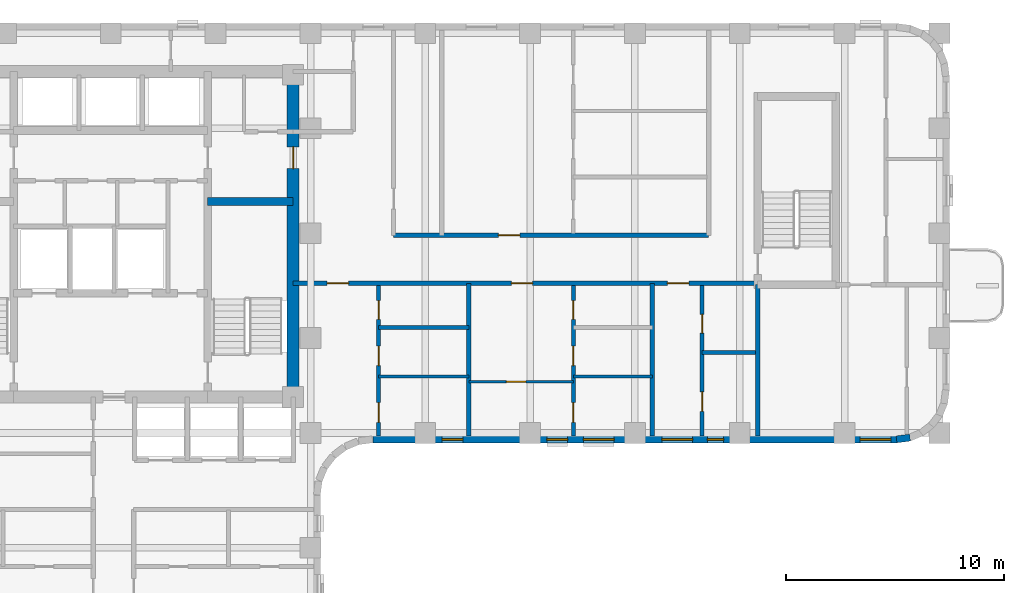
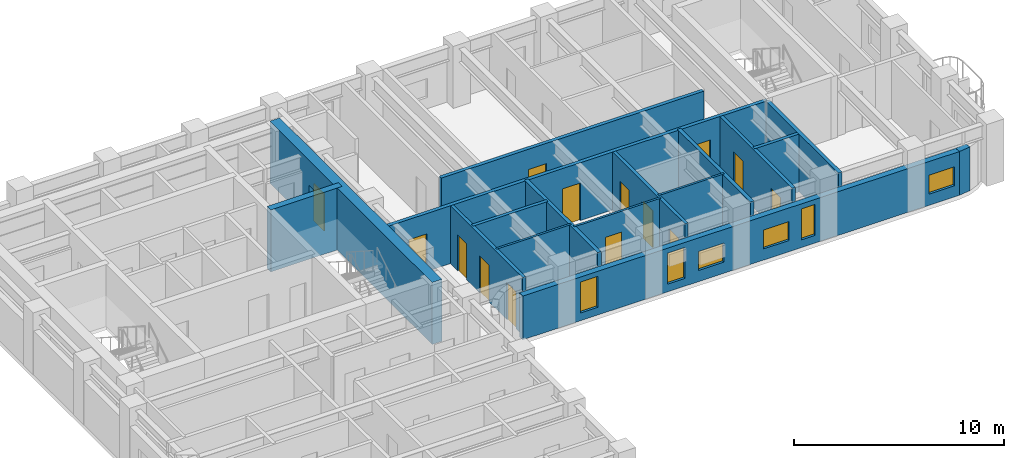
# One storey, part 5 of 10: 17 walls, 14 doors, 6 windows, 20 openings.
"""IFC4 building model written with IfcOpenShell, lengths in metres."""

import ifcopenshell
import ifcopenshell.guid

model = None  # the IFC model being written
_history = None  # IfcOwnerHistory: only IFC2X3 demands one
_inside = {}  # id of a spatial element -> (the spatial element, [elements in it])
_under = {}  # id of a project, library or spatial element -> (it, [spatial elements below it])
_declared = {}  # id of a project -> (the project, [libraries it declares])
_typed = {}  # id of a type object -> (the type object, [elements of that type])
_made_of = {}  # id of a material, layer set ... -> (it, [elements and type objects made of it])


def new_model(schema):
    """Start an empty IFC model of exactly this schema.

    Asked for "IFC4X3", IfcOpenShell would pick the latest addendum, in which some entities
    have other attributes; the version numbers below select the first issue.
    IFC2X3 requires an IfcOwnerHistory on every rooted entity: one is made here for all.
    """
    global model, _history
    if schema == "IFC4X3":
        model = ifcopenshell.file(schema_version=(4, 3, 0, 0))
    else:
        model = ifcopenshell.file(schema=schema)
    _inside.clear()
    _under.clear()
    _declared.clear()
    _typed.clear()
    _made_of.clear()
    _history = None
    if model.schema == "IFC2X3":
        org = make("IfcOrganization", Name="unknown")
        user = make(
            "IfcPersonAndOrganization",
            ThePerson=make("IfcPerson", FamilyName="unknown"),
            TheOrganization=org,
        )
        app = make(
            "IfcApplication",
            ApplicationDeveloper=org,
            Version="unknown",
            ApplicationFullName="unknown",
            ApplicationIdentifier="unknown",
        )
        _history = make(
            "IfcOwnerHistory",
            OwningUser=user,
            OwningApplication=app,
            ChangeAction="ADDED",
            CreationDate=0,
        )
    return model


def make(cls, **values):
    """One entity of the class cls with the attributes given. An attribute that is None is left unset."""
    return model.create_entity(
        cls, **{name: value for name, value in values.items() if value is not None}
    )


def rooted(cls, **values):
    """An entity with a GlobalId (a new one), such as an element, a storey or a relation."""
    return make(cls, GlobalId=ifcopenshell.guid.new(), OwnerHistory=_history, **values)


def si_unit(unit_type, name, prefix=None):
    """IfcSIUnit, for example si_unit("LENGTHUNIT", "METRE", prefix="MILLI")."""
    return make("IfcSIUnit", UnitType=unit_type, Prefix=prefix, Name=name)


def assignment(units):
    """IfcUnitAssignment: the units of a project."""
    return None if units is None else make("IfcUnitAssignment", Units=units)


def point(xyz):
    """IfcCartesianPoint."""
    return None if xyz is None else make("IfcCartesianPoint", Coordinates=xyz)


def direction(xyz):
    """IfcDirection."""
    return None if xyz is None else make("IfcDirection", DirectionRatios=xyz)


def frame(location, z_axis=None, x_axis=None):
    """IfcAxis2Placement3D, a coordinate frame: its origin and axes. An axis left out is left unset."""
    return make(
        "IfcAxis2Placement3D",
        Location=point(location),
        Axis=direction(z_axis),
        RefDirection=direction(x_axis),
    )


def frame_2d(location, x_axis=None):
    """IfcAxis2Placement2D, a coordinate frame in the plane: its origin and x axis."""
    return make(
        "IfcAxis2Placement2D", Location=point(location), RefDirection=direction(x_axis)
    )


def origin():
    """The frame at (0, 0, 0) with its axes left unset."""
    return frame((0.0, 0.0, 0.0))


def place(relative_to, where):
    """IfcLocalPlacement: puts the frame where relative to a parent placement (None: the world)."""
    return make(
        "IfcLocalPlacement", PlacementRelTo=relative_to, RelativePlacement=where
    )


def context(
    kind, dimensions, precision=None, world=None, true_north=None, identifier=None
):
    """IfcGeometricRepresentationContext, for example the 3D "Model" context."""
    return make(
        "IfcGeometricRepresentationContext",
        ContextIdentifier=identifier,
        ContextType=kind,
        CoordinateSpaceDimension=dimensions,
        Precision=precision,
        WorldCoordinateSystem=world,
        TrueNorth=true_north,
    )


def subcontext(parent, identifier, kind, view, scale=None):
    """IfcGeometricRepresentationSubContext, for example "Body" below "Model"."""
    return make(
        "IfcGeometricRepresentationSubContext",
        ContextIdentifier=identifier,
        ContextType=kind,
        ParentContext=parent,
        TargetScale=scale,
        TargetView=view,
    )


def project(units=None, contexts=None):
    """IfcProject with its units and contexts."""
    return rooted(
        "IfcProject",
        Name="project",
        RepresentationContexts=contexts,
        UnitsInContext=assignment(units),
    )


def spatial(cls, under=None, at=None, **own):
    """A site, building, storey or space (cls), placed at a placement, below another one or the project."""
    s = rooted(cls, ObjectPlacement=at, **own)
    if under is not None:
        _under.setdefault(under.id(), (under, []))[1].append(s)
    return s


def profile(cls, at=None, kind="AREA", **sizes):
    """A parametric profile (cls). Its sizes go by their IFC names, for example OverallWidth=200.0."""
    return make(cls, ProfileType=kind, Position=at, **sizes)


def rectangle(**sizes):
    """IfcRectangleProfileDef."""
    return profile("IfcRectangleProfileDef", **sizes)


def extrude(swept, where, along, depth):
    """IfcExtrudedAreaSolid: the profile swept, set in the frame where, extruded along a direction by depth."""
    return make(
        "IfcExtrudedAreaSolid",
        SweptArea=swept,
        Position=where,
        ExtrudedDirection=direction(along),
        Depth=depth,
    )


def shape(context_of_items, identifier, shape_type, items):
    """IfcShapeRepresentation: the items that make up one representation, for example the "Body"."""
    return make(
        "IfcShapeRepresentation",
        ContextOfItems=context_of_items,
        RepresentationIdentifier=identifier,
        RepresentationType=shape_type,
        Items=items,
    )


def material(Name=None, Category=None):
    """IfcMaterial."""
    return make("IfcMaterial", Name=Name, Category=Category)


def layer(
    of_material, thickness, ventilated=None, Name=None, Category=None, Priority=None
):
    """IfcMaterialLayer: one layer of a wall or slab, of a material (None: an air gap)."""
    return make(
        "IfcMaterialLayer",
        Material=of_material,
        LayerThickness=thickness,
        IsVentilated=ventilated,
        Name=Name,
        Category=Category,
        Priority=Priority,
    )


def layer_set(layers, Name=None):
    """IfcMaterialLayerSet."""
    return make("IfcMaterialLayerSet", MaterialLayers=layers, LayerSetName=Name)


def made_of(thing, what):
    """Note that an element or type object is made of a material, layer set ...; save() writes the relation."""
    if what is not None:
        _made_of.setdefault(what.id(), (what, []))[1].append(thing)
    return thing


def type_object(cls, material=None, **own):
    """A type object (cls), such as IfcWallType, which elements share."""
    return made_of(rooted(cls, **own), material)


def element(
    cls,
    number,
    at=None,
    inside=None,
    cuts=None,
    type_object=None,
    material=None,
    context=None,
    identifier="Body",
    shape_type=None,
    held_by="IfcProductDefinitionShape",
    body=None,
    shapes=None,
    **own,
):
    """One element of the class cls, such as IfcWall. Its Tag is "e" and its number.

    at: its placement. inside: the storey or other place that contains it. cuts: it is an
    opening in that element (IfcRelVoidsElement). A single representation is given by context,
    identifier, shape_type and body (its items); several are given by shapes. held_by: the class
    of the entity that holds the representations. save() writes the other relations.
    """
    e = rooted(cls, Tag="e%d" % number, ObjectPlacement=at, **own)
    if body is not None:
        shapes = [shape(context, identifier, shape_type, body)]
    if shapes is not None:
        e.Representation = make(held_by, Representations=shapes)
    if inside is not None:
        _inside.setdefault(inside.id(), (inside, []))[1].append(e)
    if cuts is not None:
        rooted(
            "IfcRelVoidsElement", RelatingBuildingElement=cuts, RelatedOpeningElement=e
        )
    if type_object is not None:
        _typed.setdefault(type_object.id(), (type_object, []))[1].append(e)
    return made_of(e, material)


def fill(opening, filler):
    """IfcRelFillsElement: the door or window that sits in an opening."""
    return rooted(
        "IfcRelFillsElement",
        RelatingOpeningElement=opening,
        RelatedBuildingElement=filler,
    )


def aggregate(whole, parts):
    """IfcRelAggregates: a whole, such as a stair, and the parts it consists of."""
    return rooted("IfcRelAggregates", RelatingObject=whole, RelatedObjects=parts)


def save(model, path):
    """Write the relations noted so far, then the file.

    IfcRelAggregates (storeys below a building ...), IfcRelContainedInSpatialStructure (elements
    in a storey), IfcRelDefinesByType, IfcRelAssociatesMaterial and IfcRelDeclares: one each for
    every whole, place, type object, material and project.
    """
    for whole, parts in _under.values():
        aggregate(whole, parts)
    for where, things in _inside.values():
        rooted(
            "IfcRelContainedInSpatialStructure",
            RelatedElements=things,
            RelatingStructure=where,
        )
    for kind, things in _typed.values():
        rooted("IfcRelDefinesByType", RelatedObjects=things, RelatingType=kind)
    for what, things in _made_of.values():
        rooted("IfcRelAssociatesMaterial", RelatedObjects=things, RelatingMaterial=what)
    for by, libraries in _declared.values():
        rooted("IfcRelDeclares", RelatingContext=by, RelatedDefinitions=libraries)
    model.write(path)


model = new_model("IFC4")

# Units and contexts
model_context = context("Model", 3, precision=1e-05, world=origin(), true_north=direction((0.0, 1.0)))
body_context = subcontext(model_context, "Body", "Model", "MODEL_VIEW")
ifc_project = project(units=[si_unit("LENGTHUNIT", "METRE"), si_unit("AREAUNIT", "SQUARE_METRE"), si_unit("VOLUMEUNIT", "CUBIC_METRE"), si_unit("PLANEANGLEUNIT", "RADIAN"), si_unit("MASSUNIT", "GRAM", prefix="KILO")], contexts=[model_context])

# Site, building, storey
site_placement = place(None, origin())
site = spatial("IfcSite", under=ifc_project, at=site_placement, CompositionType="ELEMENT")
building_placement = place(site_placement, origin())
building = spatial("IfcBuilding", under=site, at=building_placement, Name="Orvandelia Arch Residences", CompositionType="ELEMENT")
storey_placement = place(building_placement, frame((0.0, 0.0, 114.39990234375)))
storey = spatial("IfcBuildingStorey", under=building, at=storey_placement, Name="L29", CompositionType="ELEMENT", Elevation=114.39990234375)

# Wall
ifc_material_1 = material(Name="Concrete C50/60", Category="concrete")
ifc_layer_1 = layer(ifc_material_1, 0.35009765625, Name="Concrete C50/60", Category="concrete")
ifc_layer_set_1 = layer_set([ifc_layer_1], Name="Concrete C50/60")
wall_type_1 = type_object("IfcWallType", Name="WL-CORE-350", PredefinedType="SHEAR", material=ifc_layer_set_1)
wall_1_placement = place(storey_placement, frame((18.840087890625, 39.85009765625, 0.0), z_axis=(0.0, 0.0, 1.0), x_axis=(1.0, 0.0, 0.0)))
element("IfcWall", 1, at=wall_1_placement, inside=storey, type_object=wall_type_1, Name="Core Shear Wall L29-HZ2", PredefinedType="SHEAR", context=body_context, shape_type="SweptSolid", body=[
    extrude(rectangle(XDim=3.909912109375, YDim=0.35009765625, at=frame_2d((1.955078125, 0.0))), origin(), (0.0, 0.0, 1.0), 3.60009765625),
])

# Wall, opening, door
ifc_material_2 = material(Name="Concrete C60/75", Category="concrete")
ifc_layer_2 = layer(ifc_material_2, 0.550048828125, Name="Concrete C60/75", Category="concrete")
ifc_layer_set_2 = layer_set([ifc_layer_2], Name="Concrete C60/75")
wall_type_2 = type_object("IfcWallType", Name="WL-CORE-550", PredefinedType="SHEAR", material=ifc_layer_set_2)
wall_2_placement = place(storey_placement, frame((22.75, 30.625, 0.0), z_axis=(0.0, 0.0, 1.0), x_axis=(0.0, 1.0, 0.0)))
wall_2 = element("IfcWall", 2, at=wall_2_placement, inside=storey, type_object=wall_type_2, Name="Core Shear Wall L29-E", PredefinedType="SHEAR", context=body_context, shape_type="SweptSolid", body=[
    extrude(rectangle(XDim=15.449951171875, YDim=0.550048828125, at=frame_2d((7.72509765625, 0.0))), origin(), (0.0, 0.0, 1.0), 3.60009765625),
])
opening_1_placement = place(wall_2_placement, frame((10.72509765625, 0.0, 0.0)))
opening_1 = element("IfcOpeningElement", 3, at=opening_1_placement, cuts=wall_2, Name="Opening D6", PredefinedType="OPENING", context=body_context, shape_type="SweptSolid", body=[
    extrude(rectangle(XDim=1.0, YDim=2.14990234375, at=frame_2d((0.5, 1.074951171875))), frame((0.0, 0.28515625, 0.0), z_axis=(0.0, -1.0, 0.0), x_axis=(1.0, 0.0, 0.0)), (0.0, 0.0, 1.0), 0.570068359375),
])
ifc_material_3 = material(Name="Smokeproof Painted Steel Fire Door", Category="steel")
door_type_1 = type_object("IfcDoorType", Name="DR-FD60-1000", OperationType="NOTDEFINED", PredefinedType="DOOR", material=ifc_material_3)
door_1_placement = place(opening_1_placement, origin())
door_1 = element("IfcDoor", 4, at=door_1_placement, inside=storey, type_object=door_type_1, Name="Core East Corridor Link Door L29", OperationType="SINGLE_SWING_LEFT", OverallHeight=2.14990234375, OverallWidth=1.0, PredefinedType="DOOR", context=body_context, shape_type="SweptSolid", body=[
    extrude(rectangle(XDim=1.0, YDim=2.14990234375, at=frame_2d((0.5, 1.074951171875))), frame((0.0, 0.02490234375, 0.0), z_axis=(0.0, -1.0, 0.0), x_axis=(1.0, 0.0, 0.0)), (0.0, 0.0, 1.0), 0.050048828125),
])
fill(opening_1, door_1)

# Wall, openings, doors
ifc_material_4 = material(Name="Fire-Rated Corridor Partition")
ifc_layer_3 = layer(ifc_material_4, 0.199951171875, Name="Fire-Rated Corridor Partition")
ifc_layer_set_3 = layer_set([ifc_layer_3], Name="Fire-Rated Corridor Partition")
wall_type_3 = type_object("IfcWallType", Name="WL-CORR-200", PredefinedType="PARTITIONING", material=ifc_layer_set_3)
wall_3_placement = place(storey_placement, frame((22.75, 36.10009765625, 0.0), z_axis=(0.0, 0.0, 1.0), x_axis=(1.0, 0.0, 0.0)))
wall_3 = element("IfcWall", 5, at=wall_3_placement, inside=storey, type_object=wall_type_3, Name="Interior Partition Wall WL-L29-EM-S1", PredefinedType="PARTITIONING", context=body_context, shape_type="SweptSolid", body=[
    extrude(rectangle(XDim=21.27001953125, YDim=0.199951171875, at=frame_2d((10.635009765625, 0.0))), origin(), (0.0, 0.0, 1.0), 3.360107421875),
])
opening_2_placement = place(wall_3_placement, frame((1.5595703125, 0.0, 0.0)))
opening_2 = element("IfcOpeningElement", 6, at=opening_2_placement, cuts=wall_3, Name="Opening D1", PredefinedType="OPENING", context=body_context, shape_type="SweptSolid", body=[
    extrude(rectangle(XDim=0.97998046875, YDim=2.179931640625, at=frame_2d((0.489990234375, 1.08984375))), frame((0.0, 0.10986328125, 0.0), z_axis=(0.0, -1.0, 0.0), x_axis=(1.0, 0.0, 0.0)), (0.0, 0.0, 1.0), 0.219970703125),
])
opening_3_placement = place(wall_3_placement, frame((9.992431640625, 0.0, 0.0)))
opening_3 = element("IfcOpeningElement", 7, at=opening_3_placement, cuts=wall_3, Name="Opening D1", PredefinedType="OPENING", context=body_context, shape_type="SweptSolid", body=[
    extrude(rectangle(XDim=0.97998046875, YDim=2.179931640625, at=frame_2d((0.489990234375, 1.08984375))), frame((0.0, 0.10986328125, 0.0), z_axis=(0.0, -1.0, 0.0), x_axis=(1.0, 0.0, 0.0)), (0.0, 0.0, 1.0), 0.219970703125),
])
opening_4_placement = place(wall_3_placement, frame((17.139892578125, 0.0, 0.0)))
opening_4 = element("IfcOpeningElement", 8, at=opening_4_placement, cuts=wall_3, Name="Opening D1", PredefinedType="OPENING", context=body_context, shape_type="SweptSolid", body=[
    extrude(rectangle(XDim=0.97998046875, YDim=2.179931640625, at=frame_2d((0.489990234375, 1.08984375))), frame((0.0, 0.10986328125, 0.0), z_axis=(0.0, -1.0, 0.0), x_axis=(1.0, 0.0, 0.0)), (0.0, 0.0, 1.0), 0.219970703125),
])
ifc_material_5 = material(Name="Solid-Core Timber Acoustic Fire Door", Category="wood")
door_type_2 = type_object("IfcDoorType", Name="DR-ENT-980", OperationType="NOTDEFINED", PredefinedType="DOOR", material=ifc_material_5)
door_2_placement = place(opening_2_placement, origin())
door_2 = element("IfcDoor", 9, at=door_2_placement, inside=storey, type_object=door_type_2, Name="Unit L29-07 Entrance Door", OperationType="SINGLE_SWING_LEFT", OverallHeight=2.179931640625, OverallWidth=0.97998046875, PredefinedType="DOOR", context=body_context, shape_type="SweptSolid", body=[
    extrude(rectangle(XDim=0.97998046875, YDim=2.179931640625, at=frame_2d((0.489990234375, 1.08984375))), frame((0.0, 0.02490234375, 0.0), z_axis=(0.0, -1.0, 0.0), x_axis=(1.0, 0.0, 0.0)), (0.0, 0.0, 1.0), 0.050048828125),
])
fill(opening_2, door_2)
door_3_placement = place(opening_3_placement, origin())
door_3 = element("IfcDoor", 10, at=door_3_placement, inside=storey, type_object=door_type_2, Name="Unit L29-08 Entrance Door", OperationType="SINGLE_SWING_RIGHT", OverallHeight=2.179931640625, OverallWidth=0.97998046875, PredefinedType="DOOR", context=body_context, shape_type="SweptSolid", body=[
    extrude(rectangle(XDim=0.97998046875, YDim=2.179931640625, at=frame_2d((0.489990234375, 1.08984375))), frame((0.0, 0.02490234375, 0.0), z_axis=(0.0, -1.0, 0.0), x_axis=(1.0, 0.0, 0.0)), (0.0, 0.0, 1.0), 0.050048828125),
])
fill(opening_3, door_3)
door_4_placement = place(opening_4_placement, origin())
door_4 = element("IfcDoor", 11, at=door_4_placement, inside=storey, type_object=door_type_2, Name="Unit L29-09 Entrance Door", OperationType="SINGLE_SWING_LEFT", OverallHeight=2.179931640625, OverallWidth=0.97998046875, PredefinedType="DOOR", context=body_context, shape_type="SweptSolid", body=[
    extrude(rectangle(XDim=0.97998046875, YDim=2.179931640625, at=frame_2d((0.489990234375, 1.08984375))), frame((0.0, 0.02490234375, 0.0), z_axis=(0.0, -1.0, 0.0), x_axis=(1.0, 0.0, 0.0)), (0.0, 0.0, 1.0), 0.050048828125),
])
fill(opening_4, door_4)

# Wall, opening, door
wall_4_placement = place(storey_placement, frame((27.35009765625, 38.300048828125, 0.0), z_axis=(0.0, 0.0, 1.0), x_axis=(1.0, 0.0, 0.0)))
wall_4 = element("IfcWall", 12, at=wall_4_placement, inside=storey, type_object=wall_type_3, Name="Interior Partition Wall WL-L29-EM-N", PredefinedType="PARTITIONING", context=body_context, shape_type="SweptSolid", body=[
    extrude(rectangle(XDim=14.429931640625, YDim=0.199951171875, at=frame_2d((7.21484375, 0.0))), origin(), (0.0, 0.0, 1.0), 3.360107421875),
])
opening_5_placement = place(wall_4_placement, frame((4.803466796875, 0.0, 0.0)))
opening_5 = element("IfcOpeningElement", 13, at=opening_5_placement, cuts=wall_4, Name="Opening D1", PredefinedType="OPENING", context=body_context, shape_type="SweptSolid", body=[
    extrude(rectangle(XDim=0.97998046875, YDim=2.179931640625, at=frame_2d((0.489990234375, 1.08984375))), frame((0.0, 0.10986328125, 0.0), z_axis=(0.0, -1.0, 0.0), x_axis=(1.0, 0.0, 0.0)), (0.0, 0.0, 1.0), 0.219970703125),
])
door_5_placement = place(opening_5_placement, origin())
door_5 = element("IfcDoor", 14, at=door_5_placement, inside=storey, type_object=door_type_2, Name="Unit L29-10 Entrance Door", OperationType="SINGLE_SWING_RIGHT", OverallHeight=2.179931640625, OverallWidth=0.97998046875, PredefinedType="DOOR", context=body_context, shape_type="SweptSolid", body=[
    extrude(rectangle(XDim=0.97998046875, YDim=2.179931640625, at=frame_2d((0.489990234375, 1.08984375))), frame((0.0, 0.02490234375, 0.0), z_axis=(0.0, -1.0, 0.0), x_axis=(1.0, 0.0, 0.0)), (0.0, 0.0, 1.0), 0.050048828125),
])
fill(opening_5, door_5)

# Walls
ifc_material_6 = material(Name="Concrete C40/50", Category="concrete")
ifc_layer_4 = layer(ifc_material_6, 0.199951171875, Name="Concrete C40/50", Category="concrete")
ifc_layer_set_4 = layer_set([ifc_layer_4], Name="Concrete C40/50")
wall_type_4 = type_object("IfcWallType", Name="WL-DEM-200", PredefinedType="SOLIDWALL", material=ifc_layer_set_4)
for number, where, z_axis, x_axis, name in (
    (15, (30.800048828125, 29.1201171875, 0.0), (0.0, 0.0, 1.0), (0.0, 1.0, 0.0), "Interior Partition Wall WL-L29-DEM-EMS-308"),
    (16, (39.199951171875, 29.1201171875, 0.0), (0.0, 0.0, 1.0), (0.0, 1.0, 0.0), "Interior Partition Wall WL-L29-DEM-EMS-392"),
):
    element("IfcWall", number, at=place(storey_placement, frame(where, z_axis=z_axis, x_axis=x_axis)), inside=storey, type_object=wall_type_4, Name=name, PredefinedType="SOLIDWALL", context=body_context, shape_type="SweptSolid", body=[
        extrude(rectangle(XDim=6.97998046875, YDim=0.199951171875, at=frame_2d((3.489990234375, 0.0))), origin(), (0.0, 0.0, 1.0), 3.360107421875),
    ])
wall_5_placement = place(storey_placement, frame((44.02001953125, 29.1201171875, 0.0), z_axis=(0.0, 0.0, 1.0), x_axis=(0.0, 1.0, 0.0)))
element("IfcWall", 17, at=wall_5_placement, inside=storey, type_object=wall_type_4, Name="Interior Partition Wall WL-L29-EMS3-W", PredefinedType="SOLIDWALL", context=body_context, shape_type="SweptSolid", body=[
    extrude(rectangle(XDim=6.919921875, YDim=0.199951171875, at=frame_2d((3.4599609375, 0.0))), origin(), (0.0, 0.0, 1.0), 3.360107421875),
])
ifc_material_7 = material(Name="Precast concrete C40/50", Category="concrete")
ifc_layer_5 = layer(ifc_material_7, 0.320068359375, Name="Precast concrete C40/50", Category="concrete")
ifc_layer_set_5 = layer_set([ifc_layer_5], Name="Precast concrete C40/50")
wall_type_5 = type_object("IfcWallType", Name="WL-EXT-STONE-320", PredefinedType="STANDARD", material=ifc_layer_set_5)
wall_6_placement = place(storey_placement, frame((51.000244140625, 29.040283203125, 0.0), z_axis=(0.0, 0.0, 1.0), x_axis=(-0.9914410257, -0.130555323746, 0.0)))
element("IfcWall", 18, at=wall_6_placement, inside=storey, type_object=wall_type_5, Name="Coral-Limestone Precast Facade Wall L29-020", PredefinedType="STANDARD", context=body_context, shape_type="SweptSolid", body=[
    extrude(rectangle(XDim=0.62646484375, YDim=0.320068359375, at=frame_2d((0.313232421875, 0.0))), origin(), (0.0, 0.0, 1.0), 2.5400390625),
])

# Wall, openings, windows
wall_7_placement = place(storey_placement, frame((50.39990234375, 28.9599609375, 0.0), z_axis=(0.0, 0.0, 1.0), x_axis=(-1.0, 0.0, 0.0)))
wall_7 = element("IfcWall", 19, at=wall_7_placement, inside=storey, type_object=wall_type_5, Name="Coral-Limestone Precast Facade Wall L29-021", PredefinedType="STANDARD", context=body_context, shape_type="SweptSolid", body=[
    extrude(rectangle(XDim=24.0, YDim=0.320068359375, at=frame_2d((12.0, 0.0))), origin(), (0.0, 0.0, 1.0), 2.5400390625),
])
opening_6_placement = place(wall_7_placement, frame((19.87744140625, 0.0, 0.449951171875)))
opening_6 = element("IfcOpeningElement", 20, at=opening_6_placement, cuts=wall_7, Name="Opening W4", PredefinedType="OPENING", context=body_context, shape_type="SweptSolid", body=[
    extrude(rectangle(XDim=0.949951171875, YDim=1.800048828125, at=frame_2d((0.47509765625, 0.89990234375))), frame((0.0, 0.169921875, 0.0), z_axis=(0.0, -1.0, 0.0), x_axis=(1.0, 0.0, 0.0)), (0.0, 0.0, 1.0), 0.340087890625),
])
opening_7_placement = place(wall_7_placement, frame((12.955078125, 0.0, 0.64990234375)))
opening_7 = element("IfcOpeningElement", 21, at=opening_7_placement, cuts=wall_7, Name="Opening W10", PredefinedType="OPENING", context=body_context, shape_type="SweptSolid", body=[
    extrude(rectangle(XDim=1.39990234375, YDim=1.10009765625, at=frame_2d((0.699951171875, 0.550048828125))), frame((0.0, 0.169921875, 0.0), z_axis=(0.0, -1.0, 0.0), x_axis=(1.0, 0.0, 0.0)), (0.0, 0.0, 1.0), 0.340087890625),
])
opening_8_placement = place(wall_7_placement, frame((9.360107421875, 0.0, 0.64990234375)))
opening_8 = element("IfcOpeningElement", 22, at=opening_8_placement, cuts=wall_7, Name="Opening W10", PredefinedType="OPENING", context=body_context, shape_type="SweptSolid", body=[
    extrude(rectangle(XDim=1.39990234375, YDim=1.10009765625, at=frame_2d((0.699951171875, 0.550048828125))), frame((0.0, 0.169921875, 0.0), z_axis=(0.0, -1.0, 0.0), x_axis=(1.0, 0.0, 0.0)), (0.0, 0.0, 1.0), 0.340087890625),
])
opening_9_placement = place(wall_7_placement, frame((0.282470703125, 0.0, 0.64990234375)))
opening_9 = element("IfcOpeningElement", 23, at=opening_9_placement, cuts=wall_7, Name="Opening W10", PredefinedType="OPENING", context=body_context, shape_type="SweptSolid", body=[
    extrude(rectangle(XDim=1.39990234375, YDim=1.10009765625, at=frame_2d((0.699951171875, 0.550048828125))), frame((0.0, 0.169921875, 0.0), z_axis=(0.0, -1.0, 0.0), x_axis=(1.0, 0.0, 0.0)), (0.0, 0.0, 1.0), 0.340087890625),
])
opening_10_placement = place(wall_7_placement, frame((15.0849609375, 0.0, 0.449951171875)))
opening_10 = element("IfcOpeningElement", 24, at=opening_10_placement, cuts=wall_7, Name="Opening W4", PredefinedType="OPENING", context=body_context, shape_type="SweptSolid", body=[
    extrude(rectangle(XDim=0.949951171875, YDim=1.800048828125, at=frame_2d((0.47509765625, 0.89990234375))), frame((0.0, 0.169921875, 0.0), z_axis=(0.0, -1.0, 0.0), x_axis=(1.0, 0.0, 0.0)), (0.0, 0.0, 1.0), 0.340087890625),
])
opening_11_placement = place(wall_7_placement, frame((7.9326171875, 0.0, 0.449951171875)))
opening_11 = element("IfcOpeningElement", 25, at=opening_11_placement, cuts=wall_7, Name="Opening W11", PredefinedType="OPENING", context=body_context, shape_type="SweptSolid", body=[
    extrude(rectangle(XDim=0.75, YDim=1.800048828125, at=frame_2d((0.375, 0.89990234375))), frame((0.0, 0.169921875, 0.0), z_axis=(0.0, -1.0, 0.0), x_axis=(1.0, 0.0, 0.0)), (0.0, 0.0, 1.0), 0.340087890625),
])
ifc_material_8 = material(Name="Tempered Low-E Insulated Glazing", Category="glass")
window_type_1 = type_object("IfcWindowType", Name="WIN-BED-0750x1800", PartitioningType="SINGLE_PANEL", PredefinedType="WINDOW", material=ifc_material_8)
window_1_placement = place(opening_11_placement, origin())
window_1 = element("IfcWindow", 26, at=window_1_placement, inside=storey, type_object=window_type_1, Name="Recessed Punched Window L29-016", OverallHeight=1.800048828125, OverallWidth=0.75, PartitioningType="SINGLE_PANEL", PredefinedType="WINDOW", context=body_context, shape_type="SweptSolid", body=[
    extrude(rectangle(XDim=0.75, YDim=1.800048828125, at=frame_2d((0.375, 0.89990234375))), frame((0.0, 0.030029296875, 0.0), z_axis=(0.0, -1.0, 0.0), x_axis=(1.0, 0.0, 0.0)), (0.0, 0.0, 1.0), 0.06005859375),
])
fill(opening_11, window_1)
window_type_2 = type_object("IfcWindowType", Name="WIN-CLR-1400x1100", PartitioningType="SINGLE_PANEL", PredefinedType="WINDOW", material=ifc_material_8)
window_2_placement = place(opening_7_placement, origin())
window_2 = element("IfcWindow", 27, at=window_2_placement, inside=storey, type_object=window_type_2, Name="Recessed Punched Window L29-012", OverallHeight=1.10009765625, OverallWidth=1.39990234375, PartitioningType="SINGLE_PANEL", PredefinedType="WINDOW", context=body_context, shape_type="SweptSolid", body=[
    extrude(rectangle(XDim=1.39990234375, YDim=1.10009765625, at=frame_2d((0.699951171875, 0.550048828125))), frame((0.0, 0.030029296875, 0.0), z_axis=(0.0, -1.0, 0.0), x_axis=(1.0, 0.0, 0.0)), (0.0, 0.0, 1.0), 0.06005859375),
])
fill(opening_7, window_2)
window_3_placement = place(opening_8_placement, origin())
window_3 = element("IfcWindow", 28, at=window_3_placement, inside=storey, type_object=window_type_2, Name="Recessed Punched Window L29-013", OverallHeight=1.10009765625, OverallWidth=1.39990234375, PartitioningType="SINGLE_PANEL", PredefinedType="WINDOW", context=body_context, shape_type="SweptSolid", body=[
    extrude(rectangle(XDim=1.39990234375, YDim=1.10009765625, at=frame_2d((0.699951171875, 0.550048828125))), frame((0.0, 0.030029296875, 0.0), z_axis=(0.0, -1.0, 0.0), x_axis=(1.0, 0.0, 0.0)), (0.0, 0.0, 1.0), 0.06005859375),
])
fill(opening_8, window_3)
window_4_placement = place(opening_9_placement, origin())
window_4 = element("IfcWindow", 29, at=window_4_placement, inside=storey, type_object=window_type_2, Name="Recessed Punched Window L29-014", OverallHeight=1.10009765625, OverallWidth=1.39990234375, PartitioningType="SINGLE_PANEL", PredefinedType="WINDOW", context=body_context, shape_type="SweptSolid", body=[
    extrude(rectangle(XDim=1.39990234375, YDim=1.10009765625, at=frame_2d((0.699951171875, 0.550048828125))), frame((0.0, 0.030029296875, 0.0), z_axis=(0.0, -1.0, 0.0), x_axis=(1.0, 0.0, 0.0)), (0.0, 0.0, 1.0), 0.06005859375),
])
fill(opening_9, window_4)
window_type_3 = type_object("IfcWindowType", Name="WIN-RES-0950x1800", PartitioningType="SINGLE_PANEL", PredefinedType="WINDOW", material=ifc_material_8)
window_5_placement = place(opening_6_placement, origin())
window_5 = element("IfcWindow", 30, at=window_5_placement, inside=storey, type_object=window_type_3, Name="Recessed Punched Window L29-011", OverallHeight=1.800048828125, OverallWidth=0.949951171875, PartitioningType="SINGLE_PANEL", PredefinedType="WINDOW", context=body_context, shape_type="SweptSolid", body=[
    extrude(rectangle(XDim=0.949951171875, YDim=1.800048828125, at=frame_2d((0.47509765625, 0.89990234375))), frame((0.0, 0.030029296875, 0.0), z_axis=(0.0, -1.0, 0.0), x_axis=(1.0, 0.0, 0.0)), (0.0, 0.0, 1.0), 0.06005859375),
])
fill(opening_6, window_5)
window_6_placement = place(opening_10_placement, origin())
window_6 = element("IfcWindow", 31, at=window_6_placement, inside=storey, type_object=window_type_3, Name="Recessed Punched Window L29-015", OverallHeight=1.800048828125, OverallWidth=0.949951171875, PartitioningType="SINGLE_PANEL", PredefinedType="WINDOW", context=body_context, shape_type="SweptSolid", body=[
    extrude(rectangle(XDim=0.949951171875, YDim=1.800048828125, at=frame_2d((0.47509765625, 0.89990234375))), frame((0.0, 0.030029296875, 0.0), z_axis=(0.0, -1.0, 0.0), x_axis=(1.0, 0.0, 0.0)), (0.0, 0.0, 1.0), 0.06005859375),
])
fill(opening_10, window_6)

# Wall
ifc_material_9 = material(Name="Lightweight Gypsum Stud Partition")
ifc_layer_6 = layer(ifc_material_9, 0.1201171875, Name="Lightweight Gypsum Stud Partition")
ifc_layer_set_6 = layer_set([ifc_layer_6], Name="Lightweight Gypsum Stud Partition")
wall_type_6 = type_object("IfcWallType", Name="WL-PART-120", PredefinedType="PARTITIONING", material=ifc_layer_set_6)
wall_8_placement = place(storey_placement, frame((26.6689453125, 31.8359375, 0.0), z_axis=(0.0, 0.0, 1.0), x_axis=(1.0, 0.0, 0.0)))
element("IfcWall", 32, at=wall_8_placement, inside=storey, type_object=wall_type_6, Name="Interior Partition Wall WL-L29-U07-H1", PredefinedType="PARTITIONING", context=body_context, shape_type="SweptSolid", body=[
    extrude(rectangle(XDim=4.131103515625, YDim=0.1201171875, at=frame_2d((2.0654296875, 0.0))), origin(), (0.0, 0.0, 1.0), 3.360107421875),
])

# Wall, opening, door
wall_9_placement = place(storey_placement, frame((30.800048828125, 31.595947265625, 0.0), z_axis=(0.0, 0.0, 1.0), x_axis=(1.0, 0.0, 0.0)))
wall_9 = element("IfcWall", 33, at=wall_9_placement, inside=storey, type_object=wall_type_6, Name="Interior Partition Wall WL-L29-U08-DIN", PredefinedType="PARTITIONING", context=body_context, shape_type="SweptSolid", body=[
    extrude(rectangle(XDim=4.784912109375, YDim=0.1201171875, at=frame_2d((2.392578125, 0.0))), origin(), (0.0, 0.0, 1.0), 3.360107421875),
])
opening_12_placement = place(wall_9_placement, frame((1.71240234375, 0.0, 0.0)))
opening_12 = element("IfcOpeningElement", 34, at=opening_12_placement, cuts=wall_9, Name="Opening D3", PredefinedType="OPENING", context=body_context, shape_type="SweptSolid", body=[
    extrude(rectangle(XDim=0.89990234375, YDim=2.14990234375, at=frame_2d((0.449951171875, 1.074951171875))), frame((0.0, 0.070068359375, 0.0), z_axis=(0.0, -1.0, 0.0), x_axis=(1.0, 0.0, 0.0)), (0.0, 0.0, 1.0), 0.14013671875),
])
ifc_material_10 = material(Name="Engineered Timber Flush Door", Category="wood")
door_type_3 = type_object("IfcDoorType", Name="DR-INT-900", OperationType="NOTDEFINED", PredefinedType="DOOR", material=ifc_material_10)
door_6_placement = place(opening_12_placement, origin())
door_6 = element("IfcDoor", 35, at=door_6_placement, inside=storey, type_object=door_type_3, Name="DR-L29-U08-DIN", OperationType="SINGLE_SWING_LEFT", OverallHeight=2.14990234375, OverallWidth=0.89990234375, PredefinedType="DOOR", context=body_context, shape_type="SweptSolid", body=[
    extrude(rectangle(XDim=0.89990234375, YDim=2.14990234375, at=frame_2d((0.449951171875, 1.074951171875))), frame((0.0, 0.02490234375, 0.0), z_axis=(0.0, -1.0, 0.0), x_axis=(1.0, 0.0, 0.0)), (0.0, 0.0, 1.0), 0.050048828125),
])
fill(opening_12, door_6)

# Wall
wall_10_placement = place(storey_placement, frame((35.5849609375, 31.8359375, 0.0), z_axis=(0.0, 0.0, 1.0), x_axis=(1.0, 0.0, 0.0)))
element("IfcWall", 36, at=wall_10_placement, inside=storey, type_object=wall_type_6, Name="Interior Partition Wall WL-L29-U08-H1", PredefinedType="PARTITIONING", context=body_context, shape_type="SweptSolid", body=[
    extrude(rectangle(XDim=3.614990234375, YDim=0.1201171875, at=frame_2d((1.8076171875, 0.0))), origin(), (0.0, 0.0, 1.0), 3.360107421875),
])

# Wall, openings, doors
ifc_material_11 = material(Name="Moisture-Resistant Plumbing Wall")
ifc_layer_7 = layer(ifc_material_11, 0.179931640625, Name="Moisture-Resistant Plumbing Wall")
ifc_layer_set_7 = layer_set([ifc_layer_7], Name="Moisture-Resistant Plumbing Wall")
wall_type_7 = type_object("IfcWallType", Name="WL-WET-180", PredefinedType="PLUMBINGWALL", material=ifc_layer_set_7)
wall_11_placement = place(storey_placement, frame((26.6689453125, 29.1201171875, 0.0), z_axis=(0.0, 0.0, 1.0), x_axis=(0.0, 1.0, 0.0)))
wall_11 = element("IfcWall", 37, at=wall_11_placement, inside=storey, type_object=wall_type_7, Name="Interior Partition Wall WL-L29-U07-VT", PredefinedType="PLUMBINGWALL", context=body_context, shape_type="SweptSolid", body=[
    extrude(rectangle(XDim=6.8798828125, YDim=0.179931640625, at=frame_2d((3.43994140625, 0.0))), origin(), (0.0, 0.0, 1.0), 3.360107421875),
])
opening_13_placement = place(wall_11_placement, frame((0.61669921875, 0.0, 0.0)))
opening_13 = element("IfcOpeningElement", 38, at=opening_13_placement, cuts=wall_11, Name="Opening D3", PredefinedType="OPENING", context=body_context, shape_type="SweptSolid", body=[
    extrude(rectangle(XDim=0.89990234375, YDim=2.14990234375, at=frame_2d((0.449951171875, 1.074951171875))), frame((0.0, 0.10009765625, 0.0), z_axis=(0.0, -1.0, 0.0), x_axis=(1.0, 0.0, 0.0)), (0.0, 0.0, 1.0), 0.199951171875),
])
opening_14_placement = place(wall_11_placement, frame((3.21044921875, 0.0, 0.0)))
opening_14 = element("IfcOpeningElement", 39, at=opening_14_placement, cuts=wall_11, Name="Opening D3", PredefinedType="OPENING", context=body_context, shape_type="SweptSolid", body=[
    extrude(rectangle(XDim=0.89990234375, YDim=2.14990234375, at=frame_2d((0.449951171875, 1.074951171875))), frame((0.0, 0.10009765625, 0.0), z_axis=(0.0, -1.0, 0.0), x_axis=(1.0, 0.0, 0.0)), (0.0, 0.0, 1.0), 0.199951171875),
])
opening_15_placement = place(wall_11_placement, frame((5.331787109375, 0.0, 0.0)))
opening_15 = element("IfcOpeningElement", 40, at=opening_15_placement, cuts=wall_11, Name="Opening D4", PredefinedType="OPENING", context=body_context, shape_type="SweptSolid", body=[
    extrude(rectangle(XDim=0.860107421875, YDim=2.10009765625, at=frame_2d((0.43017578125, 1.050048828125))), frame((0.0, 0.10009765625, 0.0), z_axis=(0.0, -1.0, 0.0), x_axis=(1.0, 0.0, 0.0)), (0.0, 0.0, 1.0), 0.199951171875),
])
door_7_placement = place(opening_13_placement, origin())
door_7 = element("IfcDoor", 41, at=door_7_placement, inside=storey, type_object=door_type_3, Name="DR-L29-U07-BD1", OperationType="SINGLE_SWING_LEFT", OverallHeight=2.14990234375, OverallWidth=0.89990234375, PredefinedType="DOOR", context=body_context, shape_type="SweptSolid", body=[
    extrude(rectangle(XDim=0.89990234375, YDim=2.14990234375, at=frame_2d((0.449951171875, 1.074951171875))), frame((0.0, 0.02490234375, 0.0), z_axis=(0.0, -1.0, 0.0), x_axis=(1.0, 0.0, 0.0)), (0.0, 0.0, 1.0), 0.050048828125),
])
fill(opening_13, door_7)
door_8_placement = place(opening_14_placement, origin())
door_8 = element("IfcDoor", 42, at=door_8_placement, inside=storey, type_object=door_type_3, Name="DR-L29-U07-KIT", OperationType="SINGLE_SWING_RIGHT", OverallHeight=2.14990234375, OverallWidth=0.89990234375, PredefinedType="DOOR", context=body_context, shape_type="SweptSolid", body=[
    extrude(rectangle(XDim=0.89990234375, YDim=2.14990234375, at=frame_2d((0.449951171875, 1.074951171875))), frame((0.0, 0.02490234375, 0.0), z_axis=(0.0, -1.0, 0.0), x_axis=(1.0, 0.0, 0.0)), (0.0, 0.0, 1.0), 0.050048828125),
])
fill(opening_14, door_8)
ifc_material_12 = material(Name="Moisture-Sealed Timber Bathroom Door", Category="wood")
door_type_4 = type_object("IfcDoorType", Name="DR-WET-900", OperationType="NOTDEFINED", PredefinedType="DOOR", material=ifc_material_12)
door_9_placement = place(opening_15_placement, origin())
door_9 = element("IfcDoor", 43, at=door_9_placement, inside=storey, type_object=door_type_4, Name="DR-L29-U07-BTH", OperationType="SINGLE_SWING_LEFT", OverallHeight=2.10009765625, OverallWidth=0.860107421875, PredefinedType="DOOR", context=body_context, shape_type="SweptSolid", body=[
    extrude(rectangle(XDim=0.860107421875, YDim=2.10009765625, at=frame_2d((0.43017578125, 1.050048828125))), frame((0.0, 0.02490234375, 0.0), z_axis=(0.0, -1.0, 0.0), x_axis=(1.0, 0.0, 0.0)), (0.0, 0.0, 1.0), 0.050048828125),
])
fill(opening_15, door_9)

# Wall
wall_12_placement = place(storey_placement, frame((26.6689453125, 34.0849609375, 0.0), z_axis=(0.0, 0.0, 1.0), x_axis=(1.0, 0.0, 0.0)))
element("IfcWall", 44, at=wall_12_placement, inside=storey, type_object=wall_type_7, Name="Interior Partition Wall WL-L29-U07-H2", PredefinedType="PLUMBINGWALL", context=body_context, shape_type="SweptSolid", body=[
    extrude(rectangle(XDim=4.131103515625, YDim=0.179931640625, at=frame_2d((2.0654296875, 0.0))), origin(), (0.0, 0.0, 1.0), 3.360107421875),
])

# Wall, openings, doors
wall_13_placement = place(storey_placement, frame((35.5849609375, 29.1201171875, 0.0), z_axis=(0.0, 0.0, 1.0), x_axis=(0.0, 1.0, 0.0)))
wall_13 = element("IfcWall", 45, at=wall_13_placement, inside=storey, type_object=wall_type_7, Name="Interior Partition Wall WL-L29-U08-VT", PredefinedType="PLUMBINGWALL", context=body_context, shape_type="SweptSolid", body=[
    extrude(rectangle(XDim=6.8798828125, YDim=0.179931640625, at=frame_2d((3.43994140625, 0.0))), origin(), (0.0, 0.0, 1.0), 3.360107421875),
])
opening_16_placement = place(wall_13_placement, frame((0.61669921875, 0.0, 0.0)))
opening_16 = element("IfcOpeningElement", 46, at=opening_16_placement, cuts=wall_13, Name="Opening D3", PredefinedType="OPENING", context=body_context, shape_type="SweptSolid", body=[
    extrude(rectangle(XDim=0.89990234375, YDim=2.14990234375, at=frame_2d((0.449951171875, 1.074951171875))), frame((0.0, 0.10009765625, 0.0), z_axis=(0.0, -1.0, 0.0), x_axis=(1.0, 0.0, 0.0)), (0.0, 0.0, 1.0), 0.199951171875),
])
opening_17_placement = place(wall_13_placement, frame((3.21044921875, 0.0, 0.0)))
opening_17 = element("IfcOpeningElement", 47, at=opening_17_placement, cuts=wall_13, Name="Opening D3", PredefinedType="OPENING", context=body_context, shape_type="SweptSolid", body=[
    extrude(rectangle(XDim=0.89990234375, YDim=2.14990234375, at=frame_2d((0.449951171875, 1.074951171875))), frame((0.0, 0.10009765625, 0.0), z_axis=(0.0, -1.0, 0.0), x_axis=(1.0, 0.0, 0.0)), (0.0, 0.0, 1.0), 0.199951171875),
])
opening_18_placement = place(wall_13_placement, frame((5.331787109375, 0.0, 0.0)))
opening_18 = element("IfcOpeningElement", 48, at=opening_18_placement, cuts=wall_13, Name="Opening D4", PredefinedType="OPENING", context=body_context, shape_type="SweptSolid", body=[
    extrude(rectangle(XDim=0.860107421875, YDim=2.10009765625, at=frame_2d((0.43017578125, 1.050048828125))), frame((0.0, 0.10009765625, 0.0), z_axis=(0.0, -1.0, 0.0), x_axis=(1.0, 0.0, 0.0)), (0.0, 0.0, 1.0), 0.199951171875),
])
door_10_placement = place(opening_16_placement, origin())
door_10 = element("IfcDoor", 49, at=door_10_placement, inside=storey, type_object=door_type_3, Name="DR-L29-U08-BD1", OperationType="SINGLE_SWING_RIGHT", OverallHeight=2.14990234375, OverallWidth=0.89990234375, PredefinedType="DOOR", context=body_context, shape_type="SweptSolid", body=[
    extrude(rectangle(XDim=0.89990234375, YDim=2.14990234375, at=frame_2d((0.449951171875, 1.074951171875))), frame((0.0, 0.02490234375, 0.0), z_axis=(0.0, -1.0, 0.0), x_axis=(1.0, 0.0, 0.0)), (0.0, 0.0, 1.0), 0.050048828125),
])
fill(opening_16, door_10)
door_11_placement = place(opening_17_placement, origin())
door_11 = element("IfcDoor", 50, at=door_11_placement, inside=storey, type_object=door_type_3, Name="DR-L29-U08-KIT", OperationType="SINGLE_SWING_LEFT", OverallHeight=2.14990234375, OverallWidth=0.89990234375, PredefinedType="DOOR", context=body_context, shape_type="SweptSolid", body=[
    extrude(rectangle(XDim=0.89990234375, YDim=2.14990234375, at=frame_2d((0.449951171875, 1.074951171875))), frame((0.0, 0.02490234375, 0.0), z_axis=(0.0, -1.0, 0.0), x_axis=(1.0, 0.0, 0.0)), (0.0, 0.0, 1.0), 0.050048828125),
])
fill(opening_17, door_11)
door_12_placement = place(opening_18_placement, origin())
door_12 = element("IfcDoor", 51, at=door_12_placement, inside=storey, type_object=door_type_4, Name="DR-L29-U08-BTH", OperationType="SINGLE_SWING_RIGHT", OverallHeight=2.10009765625, OverallWidth=0.860107421875, PredefinedType="DOOR", context=body_context, shape_type="SweptSolid", body=[
    extrude(rectangle(XDim=0.860107421875, YDim=2.10009765625, at=frame_2d((0.43017578125, 1.050048828125))), frame((0.0, 0.02490234375, 0.0), z_axis=(0.0, -1.0, 0.0), x_axis=(1.0, 0.0, 0.0)), (0.0, 0.0, 1.0), 0.050048828125),
])
fill(opening_18, door_12)

wall_14_placement = place(storey_placement, frame((41.47998046875, 29.1201171875, 0.0), z_axis=(0.0, 0.0, 1.0), x_axis=(0.0, 1.0, 0.0)))
wall_14 = element("IfcWall", 52, at=wall_14_placement, inside=storey, type_object=wall_type_7, Name="Interior Partition Wall WL-L29-U09-VT", PredefinedType="PLUMBINGWALL", context=body_context, shape_type="SweptSolid", body=[
    extrude(rectangle(XDim=6.8798828125, YDim=0.179931640625, at=frame_2d((3.43994140625, 0.0))), origin(), (0.0, 0.0, 1.0), 3.360107421875),
])
opening_19_placement = place(wall_14_placement, frame((1.1162109375, 0.0, 0.0)))
opening_19 = element("IfcOpeningElement", 53, at=opening_19_placement, cuts=wall_14, Name="Opening D3", PredefinedType="OPENING", context=body_context, shape_type="SweptSolid", body=[
    extrude(rectangle(XDim=0.89990234375, YDim=2.14990234375, at=frame_2d((0.449951171875, 1.074951171875))), frame((0.0, 0.10009765625, 0.0), z_axis=(0.0, -1.0, 0.0), x_axis=(1.0, 0.0, 0.0)), (0.0, 0.0, 1.0), 0.199951171875),
])
opening_20_placement = place(wall_14_placement, frame((4.705322265625, 0.0, 0.0)))
opening_20 = element("IfcOpeningElement", 54, at=opening_20_placement, cuts=wall_14, Name="Opening D4", PredefinedType="OPENING", context=body_context, shape_type="SweptSolid", body=[
    extrude(rectangle(XDim=0.860107421875, YDim=2.10009765625, at=frame_2d((0.43017578125, 1.050048828125))), frame((0.0, 0.10009765625, 0.0), z_axis=(0.0, -1.0, 0.0), x_axis=(1.0, 0.0, 0.0)), (0.0, 0.0, 1.0), 0.199951171875),
])
door_13_placement = place(opening_19_placement, origin())
door_13 = element("IfcDoor", 55, at=door_13_placement, inside=storey, type_object=door_type_3, Name="DR-L29-U09-KIT", OperationType="SINGLE_SWING_LEFT", OverallHeight=2.14990234375, OverallWidth=0.89990234375, PredefinedType="DOOR", context=body_context, shape_type="SweptSolid", body=[
    extrude(rectangle(XDim=0.89990234375, YDim=2.14990234375, at=frame_2d((0.449951171875, 1.074951171875))), frame((0.0, 0.02490234375, 0.0), z_axis=(0.0, -1.0, 0.0), x_axis=(1.0, 0.0, 0.0)), (0.0, 0.0, 1.0), 0.050048828125),
])
fill(opening_19, door_13)
door_14_placement = place(opening_20_placement, origin())
door_14 = element("IfcDoor", 56, at=door_14_placement, inside=storey, type_object=door_type_4, Name="DR-L29-U09-BTH", OperationType="SINGLE_SWING_RIGHT", OverallHeight=2.10009765625, OverallWidth=0.860107421875, PredefinedType="DOOR", context=body_context, shape_type="SweptSolid", body=[
    extrude(rectangle(XDim=0.860107421875, YDim=2.10009765625, at=frame_2d((0.43017578125, 1.050048828125))), frame((0.0, 0.02490234375, 0.0), z_axis=(0.0, -1.0, 0.0), x_axis=(1.0, 0.0, 0.0)), (0.0, 0.0, 1.0), 0.050048828125),
])
fill(opening_20, door_14)

# Wall
wall_15_placement = place(storey_placement, frame((41.47998046875, 32.946044921875, 0.0), z_axis=(0.0, 0.0, 1.0), x_axis=(1.0, 0.0, 0.0)))
element("IfcWall", 57, at=wall_15_placement, inside=storey, type_object=wall_type_7, Name="Interior Partition Wall WL-L29-U09-H1", PredefinedType="PLUMBINGWALL", context=body_context, shape_type="SweptSolid", body=[
    extrude(rectangle(XDim=2.43994140625, YDim=0.179931640625, at=frame_2d((1.219970703125, 0.0))), origin(), (0.0, 0.0, 1.0), 3.360107421875),
])

save(model, "model.ifc")
